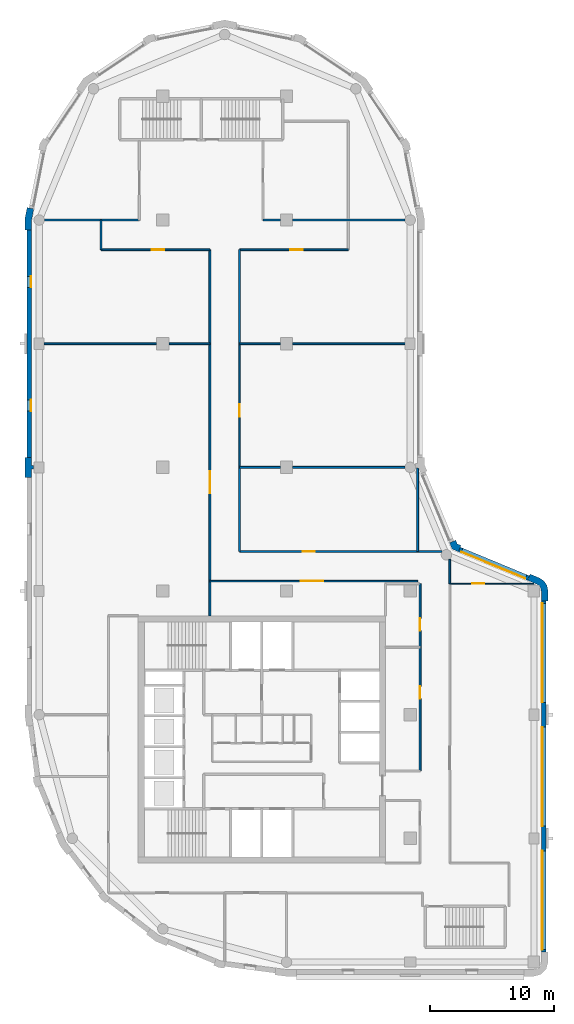
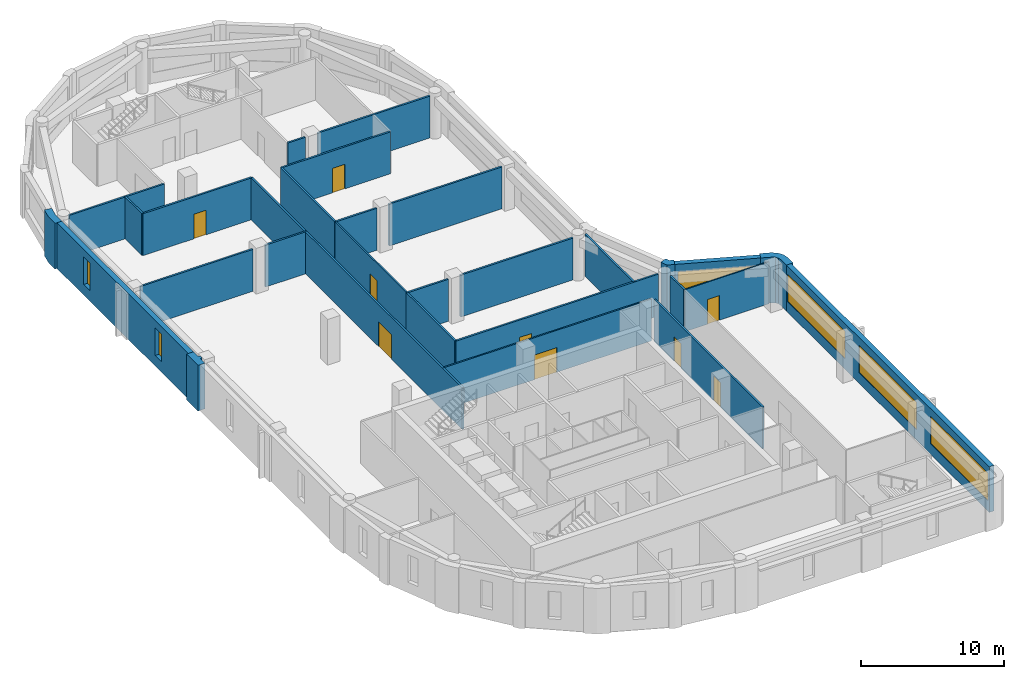
# One storey, part 4 of 8: 29 walls, 9 doors, 6 windows, 15 openings.
"""IFC4 building model written with IfcOpenShell, lengths in metres."""

from ifc_helpers import new_model, si_unit, direction, frame, frame_2d, origin, place, context, subcontext, project, spatial, polyline, rectangle, outline, extrude, material, layer, layer_set, type_object, element, fill, save


model = new_model("IFC4")

# Units and contexts
model_context = context("Model", 3, precision=1e-05, world=origin(), true_north=direction((0.0, 1.0)))
body_context = subcontext(model_context, "Body", "Model", "MODEL_VIEW")
ifc_project = project(units=[si_unit("LENGTHUNIT", "METRE"), si_unit("AREAUNIT", "SQUARE_METRE"), si_unit("VOLUMEUNIT", "CUBIC_METRE"), si_unit("PLANEANGLEUNIT", "RADIAN"), si_unit("MASSUNIT", "GRAM", prefix="KILO")], contexts=[model_context])

# Site, building, storey
site_placement = place(None, origin())
site = spatial("IfcSite", under=ifc_project, at=site_placement, CompositionType="ELEMENT")
building_placement = place(site_placement, origin())
building = spatial("IfcBuilding", under=site, at=building_placement, Name="Qaws Garden Tower", CompositionType="ELEMENT")
storey_placement = place(building_placement, frame((0.0, 0.0, 298.199951171875)))
storey = spatial("IfcBuildingStorey", under=building, at=storey_placement, Name="L72", CompositionType="ELEMENT", Elevation=298.199951171875)

# Wall
ifc_material_1 = material(Name="Clay facing brick masonry", Category="masonry")
ifc_layer_1 = layer(ifc_material_1, 0.550048828125)
ifc_layer_set_1 = layer_set([ifc_layer_1], Name="Clay facing brick masonry")
wall_type_1 = type_object("IfcWallType", Name="Brick corner pier 550 x 2400", PredefinedType="SOLIDWALL", material=ifc_layer_set_1)
placement = place(storey_placement, origin())
element("IfcWall", 1, at=placement, inside=storey, type_object=wall_type_1, Name="E-L72-pier-05", PredefinedType="SOLIDWALL", context=body_context, shape_type="SweptSolid", body=[
    extrude(outline(polyline([(41.0, 29.199951171875), (41.14990234375, 29.199951171875), (41.14990234375, 30.0), (41.0625, 30.440185546875), (40.813232421875, 30.813232421875), (40.440185546875, 31.0625), (39.700927734375, 31.36865234375), (39.6435546875, 31.22998046875), (39.490478515625, 30.860595703125), (40.2294921875, 30.554443359375), (40.42431640625, 30.42431640625), (40.554443359375, 30.2294921875), (40.60009765625, 30.0), (40.60009765625, 29.199951171875), (41.0, 29.199951171875)])), origin(), (0.0, 0.0, 1.0), 3.900146484375),
])

# Wall, openings, windows
ifc_material_2 = material(Name="Clay facing brick masonry", Category="masonry")
ifc_layer_2 = layer(ifc_material_2, 0.39990234375)
ifc_layer_set_2 = layer_set([ifc_layer_2], Name="Clay facing brick masonry")
wall_type_2 = type_object("IfcWallType", Name="Brick infill wall 400", PredefinedType="SOLIDWALL", material=ifc_layer_set_2)
wall_2_placement = place(storey_placement, frame((40.800048828125, 0.800048828125, 0.0), z_axis=(0.0, 0.0, 1.0), x_axis=(0.0, 1.0, 0.0)))
wall_2 = element("IfcWall", 2, at=wall_2_placement, inside=storey, type_object=wall_type_2, Name="E-L72-infill-02", PredefinedType="SOLIDWALL", context=body_context, shape_type="SweptSolid", body=[
    extrude(rectangle(XDim=28.39990234375, YDim=0.39990234375, at=frame_2d((14.199951171875, 0.0))), origin(), (0.0, 0.0, 1.0), 3.900146484375),
])
opening_1_placement = place(wall_2_placement, frame((0.199951171875, 0.0, 0.89990234375)))
opening_1 = element("IfcOpeningElement", 3, at=opening_1_placement, cuts=wall_2, Name="Opening W01", PredefinedType="OPENING", context=body_context, shape_type="SweptSolid", body=[
    extrude(rectangle(XDim=8.0, YDim=2.35009765625, at=frame_2d((4.0, 1.175048828125))), frame((0.0, 0.2099609375, 0.0), z_axis=(0.0, -1.0, 0.0), x_axis=(1.0, 0.0, 0.0)), (0.0, 0.0, 1.0), 0.419921875),
])
opening_2_placement = place(wall_2_placement, frame((10.199951171875, 0.0, 0.89990234375)))
opening_2 = element("IfcOpeningElement", 4, at=opening_2_placement, cuts=wall_2, Name="Opening W01", PredefinedType="OPENING", context=body_context, shape_type="SweptSolid", body=[
    extrude(rectangle(XDim=8.0, YDim=2.35009765625, at=frame_2d((4.0, 1.175048828125))), frame((0.0, 0.2099609375, 0.0), z_axis=(0.0, -1.0, 0.0), x_axis=(1.0, 0.0, 0.0)), (0.0, 0.0, 1.0), 0.419921875),
])
opening_3_placement = place(wall_2_placement, frame((20.199951171875, 0.0, 0.89990234375)))
opening_3 = element("IfcOpeningElement", 5, at=opening_3_placement, cuts=wall_2, Name="Opening W01", PredefinedType="OPENING", context=body_context, shape_type="SweptSolid", body=[
    extrude(rectangle(XDim=8.0, YDim=2.35009765625, at=frame_2d((4.0, 1.175048828125))), frame((0.0, 0.2099609375, 0.0), z_axis=(0.0, -1.0, 0.0), x_axis=(1.0, 0.0, 0.0)), (0.0, 0.0, 1.0), 0.419921875),
])
ifc_material_3 = material(Name="Aluminium framed window, clear glazing", Category="aluminium")
window_type_1 = type_object("IfcWindowType", Name="Ribbon window 8000 x 2350", PartitioningType="DOUBLE_PANEL_VERTICAL", PredefinedType="WINDOW", material=ifc_material_3)
window_1_placement = place(opening_1_placement, origin())
window_1 = element("IfcWindow", 6, at=window_1_placement, inside=storey, type_object=window_type_1, Name="E-L72-window-02-0", OverallHeight=2.35009765625, OverallWidth=8.0, PartitioningType="SINGLE_PANEL", PredefinedType="WINDOW", context=body_context, shape_type="SweptSolid", body=[
    extrude(rectangle(XDim=8.0, YDim=2.35009765625, at=frame_2d((4.0, 1.175048828125))), frame((0.0, 0.159912109375, 0.0), z_axis=(0.0, -1.0, 0.0), x_axis=(1.0, 0.0, 0.0)), (0.0, 0.0, 1.0), 0.06005859375),
])
fill(opening_1, window_1)
window_2_placement = place(opening_2_placement, origin())
window_2 = element("IfcWindow", 7, at=window_2_placement, inside=storey, type_object=window_type_1, Name="E-L72-window-03-0", OverallHeight=2.35009765625, OverallWidth=8.0, PartitioningType="SINGLE_PANEL", PredefinedType="WINDOW", context=body_context, shape_type="SweptSolid", body=[
    extrude(rectangle(XDim=8.0, YDim=2.35009765625, at=frame_2d((4.0, 1.175048828125))), frame((0.0, 0.159912109375, 0.0), z_axis=(0.0, -1.0, 0.0), x_axis=(1.0, 0.0, 0.0)), (0.0, 0.0, 1.0), 0.06005859375),
])
fill(opening_2, window_2)
window_3_placement = place(opening_3_placement, origin())
window_3 = element("IfcWindow", 8, at=window_3_placement, inside=storey, type_object=window_type_1, Name="E-L72-window-04-0", OverallHeight=2.35009765625, OverallWidth=8.0, PartitioningType="SINGLE_PANEL", PredefinedType="WINDOW", context=body_context, shape_type="SweptSolid", body=[
    extrude(rectangle(XDim=8.0, YDim=2.35009765625, at=frame_2d((4.0, 1.175048828125))), frame((0.0, 0.159912109375, 0.0), z_axis=(0.0, -1.0, 0.0), x_axis=(1.0, 0.0, 0.0)), (0.0, 0.0, 1.0), 0.06005859375),
])
fill(opening_3, window_3)

# Wall, opening, window
wall_3_placement = place(storey_placement, frame((39.56689453125, 31.04541015625, 0.0), z_axis=(0.0, 0.0, 1.0), x_axis=(-0.923891000409, 0.382655745237, 0.0)))
wall_3 = element("IfcWall", 9, at=wall_3_placement, inside=storey, type_object=wall_type_2, Name="E-L72-infill-05", PredefinedType="SOLIDWALL", context=body_context, shape_type="SweptSolid", body=[
    extrude(rectangle(XDim=6.053466796875, YDim=0.39990234375, at=frame_2d((3.02685546875, 0.0))), origin(), (0.0, 0.0, 1.0), 3.900146484375),
])
opening_4_placement = place(wall_3_placement, frame((0.226806640625, 0.0, 0.89990234375)))
opening_4 = element("IfcOpeningElement", 10, at=opening_4_placement, cuts=wall_3, Name="Opening W04", PredefinedType="OPENING", context=body_context, shape_type="SweptSolid", body=[
    extrude(rectangle(XDim=5.60009765625, YDim=2.35009765625, at=frame_2d((2.800048828125, 1.175048828125))), frame((0.0, 0.2099609375, 0.0), z_axis=(0.0, -1.0, 0.0), x_axis=(1.0, 0.0, 0.0)), (0.0, 0.0, 1.0), 0.419921875),
])
ifc_material_4 = material(Name="Aluminium framed window, clear glazing", Category="aluminium")
window_type_2 = type_object("IfcWindowType", Name="Ribbon window 5600 x 2350", PartitioningType="DOUBLE_PANEL_VERTICAL", PredefinedType="WINDOW", material=ifc_material_4)
window_4_placement = place(opening_4_placement, origin())
window_4 = element("IfcWindow", 11, at=window_4_placement, inside=storey, type_object=window_type_2, Name="E-L72-window-05-0", OverallHeight=2.35009765625, OverallWidth=5.60009765625, PartitioningType="SINGLE_PANEL", PredefinedType="WINDOW", context=body_context, shape_type="SweptSolid", body=[
    extrude(rectangle(XDim=5.60009765625, YDim=2.35009765625, at=frame_2d((2.800048828125, 1.175048828125))), frame((0.0, 0.159912109375, 0.0), z_axis=(0.0, -1.0, 0.0), x_axis=(1.0, 0.0, 0.0)), (0.0, 0.0, 1.0), 0.06005859375),
])
fill(opening_4, window_4)

# Wall, openings, windows
wall_4_placement = place(storey_placement, frame((-0.800048828125, 59.199951171875, 0.0), z_axis=(0.0, 0.0, 1.0), x_axis=(0.0, -1.0, 0.0)))
wall_4 = element("IfcWall", 12, at=wall_4_placement, inside=storey, type_object=wall_type_2, Name="E-L72-infill-17", PredefinedType="SOLIDWALL", context=body_context, shape_type="SweptSolid", body=[
    extrude(rectangle(XDim=18.39990234375, YDim=0.39990234375, at=frame_2d((9.199951171875, 0.0))), origin(), (0.0, 0.0, 1.0), 3.900146484375),
])
opening_5_placement = place(wall_4_placement, frame((3.75, 0.0, 0.89990234375)))
opening_5 = element("IfcOpeningElement", 13, at=opening_5_placement, cuts=wall_4, Name="Opening W09", PredefinedType="OPENING", context=body_context, shape_type="SweptSolid", body=[
    extrude(rectangle(XDim=0.89990234375, YDim=2.35009765625, at=frame_2d((0.449951171875, 1.175048828125))), frame((0.0, 0.2099609375, 0.0), z_axis=(0.0, -1.0, 0.0), x_axis=(1.0, 0.0, 0.0)), (0.0, 0.0, 1.0), 0.419921875),
])
opening_6_placement = place(wall_4_placement, frame((13.75, 0.0, 0.89990234375)))
opening_6 = element("IfcOpeningElement", 14, at=opening_6_placement, cuts=wall_4, Name="Opening W09", PredefinedType="OPENING", context=body_context, shape_type="SweptSolid", body=[
    extrude(rectangle(XDim=0.89990234375, YDim=2.35009765625, at=frame_2d((0.449951171875, 1.175048828125))), frame((0.0, 0.2099609375, 0.0), z_axis=(0.0, -1.0, 0.0), x_axis=(1.0, 0.0, 0.0)), (0.0, 0.0, 1.0), 0.419921875),
])
ifc_material_5 = material(Name="Aluminium framed window, clear glazing", Category="aluminium")
window_type_3 = type_object("IfcWindowType", Name="Slit window 900 x 2350", PartitioningType="SINGLE_PANEL", PredefinedType="WINDOW", material=ifc_material_5)
window_5_placement = place(opening_5_placement, origin())
window_5 = element("IfcWindow", 15, at=window_5_placement, inside=storey, type_object=window_type_3, Name="E-L72-window-17-0", OverallHeight=2.35009765625, OverallWidth=0.89990234375, PartitioningType="SINGLE_PANEL", PredefinedType="WINDOW", context=body_context, shape_type="SweptSolid", body=[
    extrude(rectangle(XDim=0.89990234375, YDim=2.35009765625, at=frame_2d((0.449951171875, 1.175048828125))), frame((0.0, 0.159912109375, 0.0), z_axis=(0.0, -1.0, 0.0), x_axis=(1.0, 0.0, 0.0)), (0.0, 0.0, 1.0), 0.06005859375),
])
fill(opening_5, window_5)
window_6_placement = place(opening_6_placement, origin())
window_6 = element("IfcWindow", 16, at=window_6_placement, inside=storey, type_object=window_type_3, Name="E-L72-window-18-0", OverallHeight=2.35009765625, OverallWidth=0.89990234375, PartitioningType="SINGLE_PANEL", PredefinedType="WINDOW", context=body_context, shape_type="SweptSolid", body=[
    extrude(rectangle(XDim=0.89990234375, YDim=2.35009765625, at=frame_2d((0.449951171875, 1.175048828125))), frame((0.0, 0.159912109375, 0.0), z_axis=(0.0, -1.0, 0.0), x_axis=(1.0, 0.0, 0.0)), (0.0, 0.0, 1.0), 0.06005859375),
])
fill(opening_6, window_6)

# Walls
ifc_material_6 = material(Name="Clay facing brick masonry", Category="masonry")
ifc_layer_3 = layer(ifc_material_6, 0.550048828125)
ifc_layer_set_3 = layer_set([ifc_layer_3], Name="Clay facing brick masonry")
wall_type_3 = type_object("IfcWallType", Name="Brick pier 550 x 1600", PredefinedType="SOLIDWALL", material=ifc_layer_set_3)
element("IfcWall", 17, at=placement, inside=storey, type_object=wall_type_3, Name="E-L72-pier-06", PredefinedType="SOLIDWALL", context=body_context, shape_type="SweptSolid", body=[
    extrude(outline(polyline([(34.05078125, 33.546630859375), (34.108154296875, 33.685302734375), (33.80908203125, 33.80908203125), (33.685302734375, 34.108154296875), (33.546630859375, 34.05078125), (33.177001953125, 33.897705078125), (33.38818359375, 33.38818359375), (33.897705078125, 33.177001953125), (34.05078125, 33.546630859375)])), origin(), (0.0, 0.0, 1.0), 3.900146484375),
])
element("IfcWall", 18, at=placement, inside=storey, type_object=wall_type_3, Name="E-L72-pier-17", PredefinedType="SOLIDWALL", context=body_context, shape_type="SweptSolid", body=[
    extrude(outline(polyline([(-0.82470703125, 60.979736328125), (-0.971923828125, 61.009033203125), (-1.14990234375, 60.11328125), (-1.14990234375, 59.199951171875), (-1.0, 59.199951171875), (-0.60009765625, 59.199951171875), (-0.60009765625, 60.05908203125), (-0.432373046875, 60.901611328125), (-0.82470703125, 60.979736328125)])), origin(), (0.0, 0.0, 1.0), 3.900146484375),
])
element("IfcWall", 19, at=placement, inside=storey, type_object=wall_type_3, Name="E-L72-pier-19", PredefinedType="SOLIDWALL", context=body_context, shape_type="SweptSolid", body=[
    extrude(outline(polyline([(-0.60009765625, 39.199951171875), (-0.60009765625, 39.85009765625), (-0.449951171875, 39.85009765625), (-0.449951171875, 40.14990234375), (-0.60009765625, 40.14990234375), (-0.60009765625, 40.800048828125), (-1.0, 40.800048828125), (-1.14990234375, 40.800048828125), (-1.14990234375, 40.0), (-1.14990234375, 39.199951171875), (-1.0, 39.199951171875), (-0.60009765625, 39.199951171875)])), origin(), (0.0, 0.0, 1.0), 3.900146484375),
])

# Wall, opening, door
ifc_material_7 = material(Name="Glass and aluminium framing", Category="aluminium")
ifc_layer_4 = layer(ifc_material_7, 0.1201171875)
ifc_layer_set_4 = layer_set([ifc_layer_4], Name="Glass and aluminium framing")
wall_type_4 = type_object("IfcWallType", Name="GLAZED PARTITION 120 EI 30", PredefinedType="PARTITIONING", material=ifc_layer_set_4)
wall_8_placement = place(storey_placement, frame((16.199951171875, 40.0, 0.0), z_axis=(0.0, 0.0, 1.0), x_axis=(0.0, 1.0, 0.0)))
wall_8 = element("IfcWall", 20, at=wall_8_placement, inside=storey, type_object=wall_type_4, Name="O-L72-wall-036", PredefinedType="PARTITIONING", context=body_context, shape_type="SweptSolid", body=[
    extrude(rectangle(XDim=10.0, YDim=0.1201171875, at=frame_2d((5.0, 0.0))), origin(), (0.0, 0.0, 1.0), 3.580078125),
])
opening_7_placement = place(wall_8_placement, frame((4.10009765625, 0.0, 0.0)))
opening_7 = element("IfcOpeningElement", 21, at=opening_7_placement, cuts=wall_8, Name="Opening C604", PredefinedType="OPENING", context=body_context, shape_type="SweptSolid", body=[
    extrude(rectangle(XDim=1.0, YDim=2.10009765625, at=frame_2d((0.5, 1.050048828125))), frame((0.0, 0.070068359375, 0.0), z_axis=(0.0, -1.0, 0.0), x_axis=(1.0, 0.0, 0.0)), (0.0, 0.0, 1.0), 0.14013671875),
])
ifc_material_8 = material(Name="Timber door leaf", Category="wood")
door_type_1 = type_object("IfcDoorType", Name="TENANCY ENTRANCE DOOR 1000 X 2100", OperationType="SINGLE_SWING_LEFT", PredefinedType="DOOR", material=ifc_material_8)
door_1_placement = place(opening_7_placement, frame((1.0, 0.0, 0.0), z_axis=(0.0, 0.0, 1.0), x_axis=(-1.0, 0.0, 0.0)))
door_1 = element("IfcDoor", 22, at=door_1_placement, inside=storey, type_object=door_type_1, Name="O-L72-door-004", OperationType="SINGLE_SWING_RIGHT", OverallHeight=2.10009765625, OverallWidth=1.0, PredefinedType="DOOR", context=body_context, shape_type="SweptSolid", body=[
    extrude(rectangle(XDim=1.0, YDim=2.10009765625, at=frame_2d((0.5, 1.050048828125))), frame((0.0, 0.02490234375, 0.0), z_axis=(0.0, -1.0, 0.0), x_axis=(1.0, 0.0, 0.0)), (0.0, 0.0, 1.0), 0.050048828125),
])
fill(opening_7, door_1)

wall_9_placement = place(storey_placement, frame((13.802001953125, 30.800048828125, 0.0), z_axis=(0.0, 0.0, 1.0), x_axis=(1.0, 0.0, 0.0)))
wall_9 = element("IfcWall", 23, at=wall_9_placement, inside=storey, type_object=wall_type_4, Name="O-L72-wall-046", PredefinedType="PARTITIONING", context=body_context, shape_type="SweptSolid", body=[
    extrude(rectangle(XDim=16.798095703125, YDim=0.1201171875, at=frame_2d((8.39892578125, 0.0))), origin(), (0.0, 0.0, 1.0), 3.580078125),
])
opening_8_placement = place(wall_9_placement, frame((7.35009765625, 0.0, 0.0)))
opening_8 = element("IfcOpeningElement", 24, at=opening_8_placement, cuts=wall_9, Name="Opening C608", PredefinedType="OPENING", context=body_context, shape_type="SweptSolid", body=[
    extrude(rectangle(XDim=1.800048828125, YDim=2.10009765625, at=frame_2d((0.89990234375, 1.050048828125))), frame((0.0, 0.070068359375, 0.0), z_axis=(0.0, -1.0, 0.0), x_axis=(1.0, 0.0, 0.0)), (0.0, 0.0, 1.0), 0.14013671875),
])
ifc_material_9 = material(Name="Timber door leaf", Category="wood")
door_type_2 = type_object("IfcDoorType", Name="DOUBLE DOOR 1800 X 2100", OperationType="DOUBLE_DOOR_SINGLE_SWING", PredefinedType="DOOR", material=ifc_material_9)
door_2_placement = place(opening_8_placement, frame((1.800048828125, 0.0, 0.0), z_axis=(0.0, 0.0, 1.0), x_axis=(-1.0, 0.0, 0.0)))
door_2 = element("IfcDoor", 25, at=door_2_placement, inside=storey, type_object=door_type_2, Name="O-L72-door-008", OperationType="DOUBLE_DOOR_SINGLE_SWING", OverallHeight=2.10009765625, OverallWidth=1.800048828125, PredefinedType="DOOR", context=body_context, shape_type="SweptSolid", body=[
    extrude(rectangle(XDim=1.800048828125, YDim=2.10009765625, at=frame_2d((0.89990234375, 1.050048828125))), frame((0.0, 0.02490234375, 0.0), z_axis=(0.0, -1.0, 0.0), x_axis=(1.0, 0.0, 0.0)), (0.0, 0.0, 1.0), 0.050048828125),
])
fill(opening_8, door_2)

ifc_material_10 = material(Name="Gypsum board partition")
ifc_layer_5 = layer(ifc_material_10, 0.10009765625)
ifc_layer_set_5 = layer_set([ifc_layer_5], Name="Gypsum board partition")
wall_type_5 = type_object("IfcWallType", Name="PARTITION 100", PredefinedType="PARTITIONING", material=ifc_layer_set_5)
wall_10_placement = place(storey_placement, frame((33.199951171875, 30.60009765625, 0.0), z_axis=(0.0, 0.0, 1.0), x_axis=(1.0, 0.0, 0.0)))
wall_10 = element("IfcWall", 26, at=wall_10_placement, inside=storey, type_object=wall_type_5, Name="O-L72-wall-001", PredefinedType="PARTITIONING", context=body_context, shape_type="SweptSolid", body=[
    extrude(rectangle(XDim=6.798583984375, YDim=0.10009765625, at=frame_2d((3.3994140625, 0.0))), origin(), (0.0, 0.0, 1.0), 3.580078125),
])
opening_9_placement = place(wall_10_placement, frame((1.824951171875, 0.0, 0.0)))
opening_9 = element("IfcOpeningElement", 27, at=opening_9_placement, cuts=wall_10, Name="Opening C617", PredefinedType="OPENING", context=body_context, shape_type="SweptSolid", body=[
    extrude(rectangle(XDim=0.949951171875, YDim=2.10009765625, at=frame_2d((0.47509765625, 1.050048828125))), frame((0.0, 0.06005859375, 0.0), z_axis=(0.0, -1.0, 0.0), x_axis=(1.0, 0.0, 0.0)), (0.0, 0.0, 1.0), 0.1201171875),
])
ifc_material_11 = material(Name="Timber and glass door leaf", Category="wood")
door_type_3 = type_object("IfcDoorType", Name="GLAZED DOOR 950 X 2100", OperationType="SINGLE_SWING_LEFT", PredefinedType="DOOR", material=ifc_material_11)
door_3_placement = place(opening_9_placement, origin())
door_3 = element("IfcDoor", 28, at=door_3_placement, inside=storey, type_object=door_type_3, Name="O-L72-door-017", OperationType="SINGLE_SWING_LEFT", OverallHeight=2.10009765625, OverallWidth=0.949951171875, PredefinedType="DOOR", context=body_context, shape_type="SweptSolid", body=[
    extrude(rectangle(XDim=0.949951171875, YDim=2.10009765625, at=frame_2d((0.47509765625, 1.050048828125))), frame((0.0, 0.02490234375, 0.0), z_axis=(0.0, -1.0, 0.0), x_axis=(1.0, 0.0, 0.0)), (0.0, 0.0, 1.0), 0.050048828125),
])
fill(opening_9, door_3)

# Wall
ifc_material_12 = material(Name="Gypsum board partition")
ifc_layer_6 = layer(ifc_material_12, 0.14990234375)
ifc_layer_set_6 = layer_set([ifc_layer_6], Name="Gypsum board partition")
wall_type_6 = type_object("IfcWallType", Name="PARTITION 150 EI 60", PredefinedType="PARTITIONING", material=ifc_layer_set_6)
wall_11_placement = place(storey_placement, frame((5.0, 57.60009765625, 0.0), z_axis=(0.0, 0.0, 1.0), x_axis=(0.0, 1.0, 0.0)))
element("IfcWall", 29, at=wall_11_placement, inside=storey, type_object=wall_type_6, Name="O-L72-wall-002", PredefinedType="PARTITIONING", context=body_context, shape_type="SweptSolid", body=[
    extrude(rectangle(XDim=2.39990234375, YDim=0.14990234375, at=frame_2d((1.199951171875, 0.0))), origin(), (0.0, 0.0, 1.0), 3.580078125),
])

# Wall, opening, door
wall_12_placement = place(storey_placement, frame((13.800048828125, 28.0, 0.0), z_axis=(0.0, 0.0, 1.0), x_axis=(0.0, 1.0, 0.0)))
wall_12 = element("IfcWall", 30, at=wall_12_placement, inside=storey, type_object=wall_type_6, Name="O-L72-wall-005", PredefinedType="PARTITIONING", context=body_context, shape_type="SweptSolid", body=[
    extrude(rectangle(XDim=29.60009765625, YDim=0.14990234375, at=frame_2d((14.800048828125, 0.0))), origin(), (0.0, 0.0, 1.0), 3.580078125),
])
opening_10_placement = place(wall_12_placement, frame((9.90087890625, 0.0, 0.0)))
opening_10 = element("IfcOpeningElement", 31, at=opening_10_placement, cuts=wall_12, Name="Opening C615", PredefinedType="OPENING", context=body_context, shape_type="SweptSolid", body=[
    extrude(rectangle(XDim=1.800048828125, YDim=2.10009765625, at=frame_2d((0.89990234375, 1.050048828125))), frame((0.0, 0.0849609375, 0.0), z_axis=(0.0, -1.0, 0.0), x_axis=(1.0, 0.0, 0.0)), (0.0, 0.0, 1.0), 0.169921875),
])
door_4_placement = place(opening_10_placement, origin())
door_4 = element("IfcDoor", 32, at=door_4_placement, inside=storey, type_object=door_type_2, Name="O-L72-door-015", OperationType="DOUBLE_DOOR_SINGLE_SWING", OverallHeight=2.10009765625, OverallWidth=1.800048828125, PredefinedType="DOOR", context=body_context, shape_type="SweptSolid", body=[
    extrude(rectangle(XDim=1.800048828125, YDim=2.10009765625, at=frame_2d((0.89990234375, 1.050048828125))), frame((0.0, 0.02490234375, 0.0), z_axis=(0.0, -1.0, 0.0), x_axis=(1.0, 0.0, 0.0)), (0.0, 0.0, 1.0), 0.050048828125),
])
fill(opening_10, door_4)

# Walls
wall_13_placement = place(storey_placement, frame((16.199951171875, 33.199951171875, 0.0), z_axis=(0.0, 0.0, 1.0), x_axis=(0.0, 1.0, 0.0)))
element("IfcWall", 33, at=wall_13_placement, inside=storey, type_object=wall_type_6, Name="O-L72-wall-007", PredefinedType="PARTITIONING", context=body_context, shape_type="SweptSolid", body=[
    extrude(rectangle(XDim=6.800048828125, YDim=0.14990234375, at=frame_2d((3.39990234375, 0.0))), origin(), (0.0, 0.0, 1.0), 3.580078125),
])
wall_14_placement = place(storey_placement, frame((16.199951171875, 50.0, 0.0), z_axis=(0.0, 0.0, 1.0), x_axis=(0.0, 1.0, 0.0)))
element("IfcWall", 34, at=wall_14_placement, inside=storey, type_object=wall_type_6, Name="O-L72-wall-008", PredefinedType="PARTITIONING", context=body_context, shape_type="SweptSolid", body=[
    extrude(rectangle(XDim=7.60009765625, YDim=0.14990234375, at=frame_2d((3.800048828125, 0.0))), origin(), (0.0, 0.0, 1.0), 3.580078125),
])
wall_15_placement = place(storey_placement, frame((30.60009765625, 33.199951171875, 0.0), z_axis=(0.0, 0.0, 1.0), x_axis=(0.0, 1.0, 0.0)))
element("IfcWall", 35, at=wall_15_placement, inside=storey, type_object=wall_type_6, Name="O-L72-wall-013", PredefinedType="PARTITIONING", context=body_context, shape_type="SweptSolid", body=[
    extrude(rectangle(XDim=6.73828125, YDim=0.14990234375, at=frame_2d((3.369140625, 0.0))), origin(), (0.0, 0.0, 1.0), 3.580078125),
])

# Wall, openings, doors
wall_16_placement = place(storey_placement, frame((30.800048828125, 15.449951171875, 0.0), z_axis=(0.0, 0.0, 1.0), x_axis=(0.0, 1.0, 0.0)))
wall_16 = element("IfcWall", 36, at=wall_16_placement, inside=storey, type_object=wall_type_6, Name="O-L72-wall-014", PredefinedType="PARTITIONING", context=body_context, shape_type="SweptSolid", body=[
    extrude(rectangle(XDim=15.150146484375, YDim=0.14990234375, at=frame_2d((7.5751953125, 0.0))), origin(), (0.0, 0.0, 1.0), 3.580078125),
])
opening_11_placement = place(wall_16_placement, frame((5.85009765625, 0.0, 0.0)))
opening_11 = element("IfcOpeningElement", 37, at=opening_11_placement, cuts=wall_16, Name="Opening C611", PredefinedType="OPENING", context=body_context, shape_type="SweptSolid", body=[
    extrude(rectangle(XDim=1.0, YDim=2.10009765625, at=frame_2d((0.5, 1.050048828125))), frame((0.0, 0.0849609375, 0.0), z_axis=(0.0, -1.0, 0.0), x_axis=(1.0, 0.0, 0.0)), (0.0, 0.0, 1.0), 0.169921875),
])
opening_12_placement = place(wall_16_placement, frame((11.35009765625, 0.0, 0.0)))
opening_12 = element("IfcOpeningElement", 38, at=opening_12_placement, cuts=wall_16, Name="Opening C612", PredefinedType="OPENING", context=body_context, shape_type="SweptSolid", body=[
    extrude(rectangle(XDim=1.0, YDim=2.10009765625, at=frame_2d((0.5, 1.050048828125))), frame((0.0, 0.0849609375, 0.0), z_axis=(0.0, -1.0, 0.0), x_axis=(1.0, 0.0, 0.0)), (0.0, 0.0, 1.0), 0.169921875),
])
door_5_placement = place(opening_11_placement, origin())
door_5 = element("IfcDoor", 39, at=door_5_placement, inside=storey, type_object=door_type_1, Name="O-L72-door-011", OperationType="SINGLE_SWING_RIGHT", OverallHeight=2.10009765625, OverallWidth=1.0, PredefinedType="DOOR", context=body_context, shape_type="SweptSolid", body=[
    extrude(rectangle(XDim=1.0, YDim=2.10009765625, at=frame_2d((0.5, 1.050048828125))), frame((0.0, 0.02490234375, 0.0), z_axis=(0.0, -1.0, 0.0), x_axis=(1.0, 0.0, 0.0)), (0.0, 0.0, 1.0), 0.050048828125),
])
fill(opening_11, door_5)
door_6_placement = place(opening_12_placement, origin())
door_6 = element("IfcDoor", 40, at=door_6_placement, inside=storey, type_object=door_type_1, Name="O-L72-door-012", OperationType="SINGLE_SWING_LEFT", OverallHeight=2.10009765625, OverallWidth=1.0, PredefinedType="DOOR", context=body_context, shape_type="SweptSolid", body=[
    extrude(rectangle(XDim=1.0, YDim=2.10009765625, at=frame_2d((0.5, 1.050048828125))), frame((0.0, 0.02490234375, 0.0), z_axis=(0.0, -1.0, 0.0), x_axis=(1.0, 0.0, 0.0)), (0.0, 0.0, 1.0), 0.050048828125),
])
fill(opening_12, door_6)

# Wall
wall_17_placement = place(storey_placement, frame((33.199951171875, 30.60009765625, 0.0), z_axis=(0.0, 0.0, 1.0), x_axis=(0.0, 1.0, 0.0)))
element("IfcWall", 41, at=wall_17_placement, inside=storey, type_object=wall_type_6, Name="O-L72-wall-015", PredefinedType="PARTITIONING", context=body_context, shape_type="SweptSolid", body=[
    extrude(rectangle(XDim=1.951904296875, YDim=0.14990234375, at=frame_2d((0.97607421875, 0.0))), origin(), (0.0, 0.0, 1.0), 3.580078125),
])

# Wall, opening, door
wall_18_placement = place(storey_placement, frame((16.199951171875, 33.199951171875, 0.0), z_axis=(0.0, 0.0, 1.0), x_axis=(1.0, 0.0, 0.0)))
wall_18 = element("IfcWall", 42, at=wall_18_placement, inside=storey, type_object=wall_type_6, Name="O-L72-wall-023", PredefinedType="PARTITIONING", context=body_context, shape_type="SweptSolid", body=[
    extrude(rectangle(XDim=16.35205078125, YDim=0.14990234375, at=frame_2d((8.176025390625, 0.0))), origin(), (0.0, 0.0, 1.0), 3.580078125),
])
opening_13_placement = place(wall_18_placement, frame((5.10009765625, 0.0, 0.0)))
opening_13 = element("IfcOpeningElement", 43, at=opening_13_placement, cuts=wall_18, Name="Opening C603", PredefinedType="OPENING", context=body_context, shape_type="SweptSolid", body=[
    extrude(rectangle(XDim=1.0, YDim=2.10009765625, at=frame_2d((0.5, 1.050048828125))), frame((0.0, 0.0849609375, 0.0), z_axis=(0.0, -1.0, 0.0), x_axis=(1.0, 0.0, 0.0)), (0.0, 0.0, 1.0), 0.169921875),
])
door_7_placement = place(opening_13_placement, origin())
door_7 = element("IfcDoor", 44, at=door_7_placement, inside=storey, type_object=door_type_1, Name="O-L72-door-003", OperationType="SINGLE_SWING_RIGHT", OverallHeight=2.10009765625, OverallWidth=1.0, PredefinedType="DOOR", context=body_context, shape_type="SweptSolid", body=[
    extrude(rectangle(XDim=1.0, YDim=2.10009765625, at=frame_2d((0.5, 1.050048828125))), frame((0.0, 0.02490234375, 0.0), z_axis=(0.0, -1.0, 0.0), x_axis=(1.0, 0.0, 0.0)), (0.0, 0.0, 1.0), 0.050048828125),
])
fill(opening_13, door_7)

# Walls
wall_19_placement = place(storey_placement, frame((16.199951171875, 40.0, 0.0), z_axis=(0.0, 0.0, 1.0), x_axis=(1.0, 0.0, 0.0)))
element("IfcWall", 45, at=wall_19_placement, inside=storey, type_object=wall_type_6, Name="O-L72-wall-024", PredefinedType="PARTITIONING", context=body_context, shape_type="SweptSolid", body=[
    extrude(rectangle(XDim=3.300048828125, YDim=0.14990234375, at=frame_2d((1.64990234375, 0.0))), origin(), (0.0, 0.0, 1.0), 3.580078125),
])
wall_20_placement = place(storey_placement, frame((20.5, 40.0, 0.0), z_axis=(0.0, 0.0, 1.0), x_axis=(1.0, 0.0, 0.0)))
element("IfcWall", 46, at=wall_20_placement, inside=storey, type_object=wall_type_6, Name="O-L72-wall-025", PredefinedType="PARTITIONING", context=body_context, shape_type="SweptSolid", body=[
    extrude(rectangle(XDim=9.074951171875, YDim=0.14990234375, at=frame_2d((4.53759765625, 0.0))), origin(), (0.0, 0.0, 1.0), 3.580078125),
])
wall_21_placement = place(storey_placement, frame((0.39990234375, 50.0, 0.0), z_axis=(0.0, 0.0, 1.0), x_axis=(1.0, 0.0, 0.0)))
element("IfcWall", 47, at=wall_21_placement, inside=storey, type_object=wall_type_6, Name="O-L72-wall-026", PredefinedType="PARTITIONING", context=body_context, shape_type="SweptSolid", body=[
    extrude(rectangle(XDim=9.10009765625, YDim=0.14990234375, at=frame_2d((4.550048828125, 0.0))), origin(), (0.0, 0.0, 1.0), 3.580078125),
])
for number, where, z_axis, x_axis, name in (
    (48, (10.5, 50.0, 0.0), (0.0, 0.0, 1.0), (1.0, 0.0, 0.0), "O-L72-wall-027"),
    (49, (16.199951171875, 50.0, 0.0), (0.0, 0.0, 1.0), (1.0, 0.0, 0.0), "O-L72-wall-028"),
):
    element("IfcWall", number, at=place(storey_placement, frame(where, z_axis=z_axis, x_axis=x_axis)), inside=storey, type_object=wall_type_6, Name=name, PredefinedType="PARTITIONING", context=body_context, shape_type="SweptSolid", body=[
        extrude(rectangle(XDim=3.300048828125, YDim=0.14990234375, at=frame_2d((1.64990234375, 0.0))), origin(), (0.0, 0.0, 1.0), 3.580078125),
    ])
wall_22_placement = place(storey_placement, frame((20.5, 50.0, 0.0), z_axis=(0.0, 0.0, 1.0), x_axis=(1.0, 0.0, 0.0)))
element("IfcWall", 50, at=wall_22_placement, inside=storey, type_object=wall_type_6, Name="O-L72-wall-029", PredefinedType="PARTITIONING", context=body_context, shape_type="SweptSolid", body=[
    extrude(rectangle(XDim=9.10009765625, YDim=0.14990234375, at=frame_2d((4.550048828125, 0.0))), origin(), (0.0, 0.0, 1.0), 3.580078125),
])

# Wall, opening, door
wall_23_placement = place(storey_placement, frame((5.0, 57.60009765625, 0.0), z_axis=(0.0, 0.0, 1.0), x_axis=(1.0, 0.0, 0.0)))
wall_23 = element("IfcWall", 51, at=wall_23_placement, inside=storey, type_object=wall_type_6, Name="O-L72-wall-030", PredefinedType="PARTITIONING", context=body_context, shape_type="SweptSolid", body=[
    extrude(rectangle(XDim=8.800048828125, YDim=0.14990234375, at=frame_2d((4.39990234375, 0.0))), origin(), (0.0, 0.0, 1.0), 3.580078125),
])
opening_14_placement = place(wall_23_placement, frame((4.10009765625, 0.0, 0.0)))
opening_14 = element("IfcOpeningElement", 52, at=opening_14_placement, cuts=wall_23, Name="Opening C616", PredefinedType="OPENING", context=body_context, shape_type="SweptSolid", body=[
    extrude(rectangle(XDim=1.0, YDim=2.10009765625, at=frame_2d((0.5, 1.050048828125))), frame((0.0, 0.0849609375, 0.0), z_axis=(0.0, -1.0, 0.0), x_axis=(1.0, 0.0, 0.0)), (0.0, 0.0, 1.0), 0.169921875),
])
door_8_placement = place(opening_14_placement, frame((1.0, 0.0, 0.0), z_axis=(0.0, 0.0, 1.0), x_axis=(-1.0, 0.0, 0.0)))
door_8 = element("IfcDoor", 53, at=door_8_placement, inside=storey, type_object=door_type_1, Name="O-L72-door-016", OperationType="SINGLE_SWING_LEFT", OverallHeight=2.10009765625, OverallWidth=1.0, PredefinedType="DOOR", context=body_context, shape_type="SweptSolid", body=[
    extrude(rectangle(XDim=1.0, YDim=2.10009765625, at=frame_2d((0.5, 1.050048828125))), frame((0.0, 0.02490234375, 0.0), z_axis=(0.0, -1.0, 0.0), x_axis=(1.0, 0.0, 0.0)), (0.0, 0.0, 1.0), 0.050048828125),
])
fill(opening_14, door_8)

wall_24_placement = place(storey_placement, frame((16.199951171875, 57.60009765625, 0.0), z_axis=(0.0, 0.0, 1.0), x_axis=(1.0, 0.0, 0.0)))
wall_24 = element("IfcWall", 54, at=wall_24_placement, inside=storey, type_object=wall_type_6, Name="O-L72-wall-031", PredefinedType="PARTITIONING", context=body_context, shape_type="SweptSolid", body=[
    extrude(rectangle(XDim=8.800048828125, YDim=0.14990234375, at=frame_2d((4.39990234375, 0.0))), origin(), (0.0, 0.0, 1.0), 3.580078125),
])
opening_15_placement = place(wall_24_placement, frame((4.10009765625, 0.0, 0.0)))
opening_15 = element("IfcOpeningElement", 55, at=opening_15_placement, cuts=wall_24, Name="Opening C605", PredefinedType="OPENING", context=body_context, shape_type="SweptSolid", body=[
    extrude(rectangle(XDim=1.0, YDim=2.10009765625, at=frame_2d((0.5, 1.050048828125))), frame((0.0, 0.0849609375, 0.0), z_axis=(0.0, -1.0, 0.0), x_axis=(1.0, 0.0, 0.0)), (0.0, 0.0, 1.0), 0.169921875),
])
door_9_placement = place(opening_15_placement, frame((1.0, 0.0, 0.0), z_axis=(0.0, 0.0, 1.0), x_axis=(-1.0, 0.0, 0.0)))
door_9 = element("IfcDoor", 56, at=door_9_placement, inside=storey, type_object=door_type_1, Name="O-L72-door-005", OperationType="SINGLE_SWING_LEFT", OverallHeight=2.10009765625, OverallWidth=1.0, PredefinedType="DOOR", context=body_context, shape_type="SweptSolid", body=[
    extrude(rectangle(XDim=1.0, YDim=2.10009765625, at=frame_2d((0.5, 1.050048828125))), frame((0.0, 0.02490234375, 0.0), z_axis=(0.0, -1.0, 0.0), x_axis=(1.0, 0.0, 0.0)), (0.0, 0.0, 1.0), 0.050048828125),
])
fill(opening_15, door_9)

# Walls
wall_25_placement = place(storey_placement, frame((0.425048828125, 60.0, 0.0), z_axis=(0.0, 0.0, 1.0), x_axis=(1.0, 0.0, 0.0)))
element("IfcWall", 57, at=wall_25_placement, inside=storey, type_object=wall_type_6, Name="O-L72-wall-032", PredefinedType="PARTITIONING", context=body_context, shape_type="SweptSolid", body=[
    extrude(rectangle(XDim=7.675048828125, YDim=0.14990234375, at=frame_2d((3.83740234375, 0.0))), origin(), (0.0, 0.0, 1.0), 3.580078125),
])
wall_26_placement = place(storey_placement, frame((18.10009765625, 60.0, 0.0), z_axis=(0.0, 0.0, 1.0), x_axis=(1.0, 0.0, 0.0)))
element("IfcWall", 58, at=wall_26_placement, inside=storey, type_object=wall_type_6, Name="O-L72-wall-033", PredefinedType="PARTITIONING", context=body_context, shape_type="SweptSolid", body=[
    extrude(rectangle(XDim=1.39990234375, YDim=0.14990234375, at=frame_2d((0.699951171875, 0.0))), origin(), (0.0, 0.0, 1.0), 3.580078125),
])
wall_27_placement = place(storey_placement, frame((20.5, 60.0, 0.0), z_axis=(0.0, 0.0, 1.0), x_axis=(1.0, 0.0, 0.0)))
element("IfcWall", 59, at=wall_27_placement, inside=storey, type_object=wall_type_6, Name="O-L72-wall-034", PredefinedType="PARTITIONING", context=body_context, shape_type="SweptSolid", body=[
    extrude(rectangle(XDim=9.074951171875, YDim=0.14990234375, at=frame_2d((4.53759765625, 0.0))), origin(), (0.0, 0.0, 1.0), 3.580078125),
])

save(model, "model.ifc")
